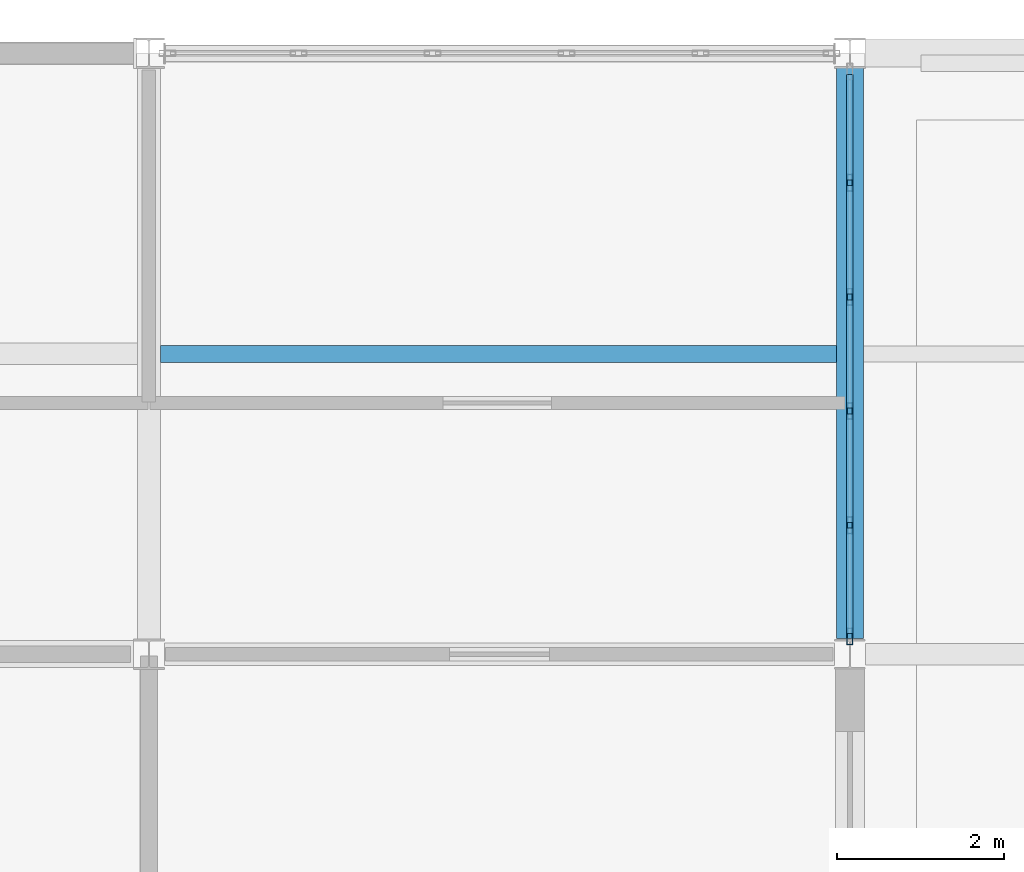
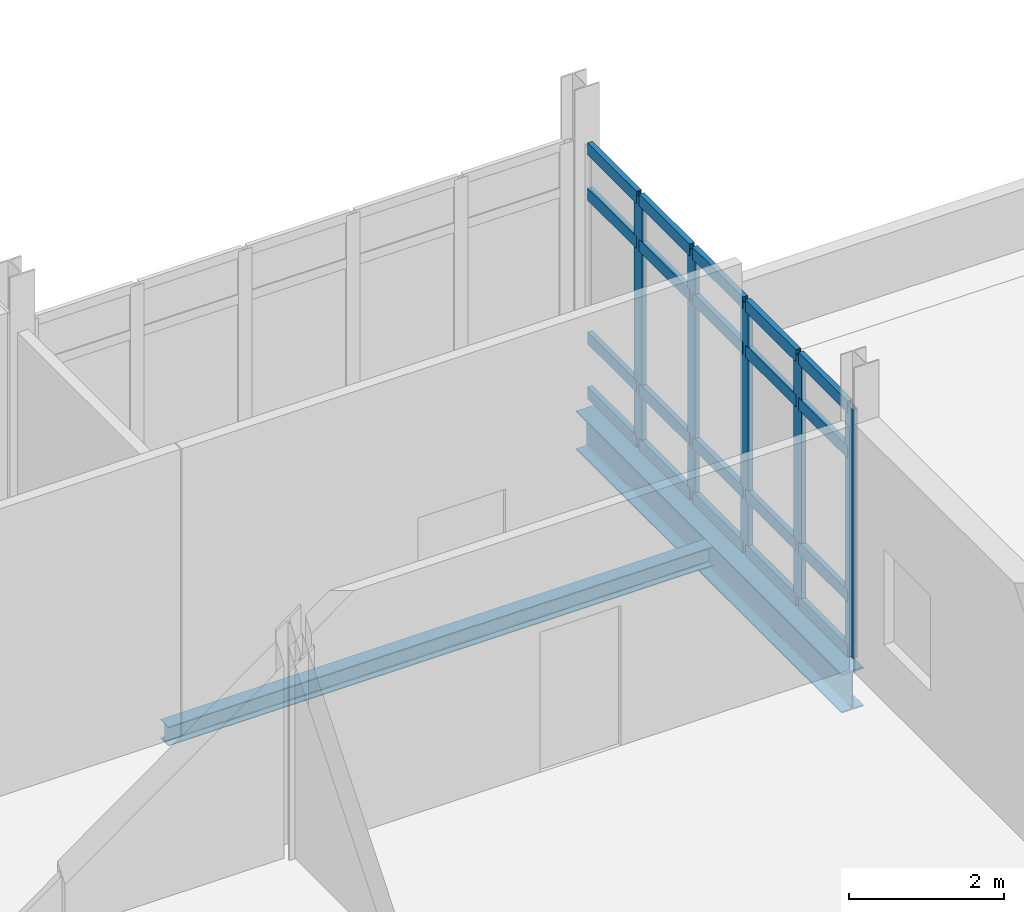
# One storey, part 92 of 186: 25 members, 2 beams, 1 element without a shape of its own.
"""IFC4 building model written with IfcOpenShell, lengths in metres."""

from ifc_helpers import new_model, si_unit, direction, frame, origin, origin_2d, place, context, subcontext, project, spatial, hollow_rectangle, i_section, extrude, material, layer, layer_set, material_profile, profile_set, type_object, element, aggregate, save


model = new_model("IFC4")

# Units and contexts
model_context = context("Model", 3, precision=1e-05, world=origin(), true_north=direction((0.0, 1.0)))
body_context = subcontext(model_context, "Body", "Model", "MODEL_VIEW")
ifc_project = project(units=[si_unit("LENGTHUNIT", "METRE"), si_unit("AREAUNIT", "SQUARE_METRE"), si_unit("VOLUMEUNIT", "CUBIC_METRE"), si_unit("PLANEANGLEUNIT", "RADIAN"), si_unit("MASSUNIT", "GRAM", prefix="KILO")], contexts=[model_context])

# Site, building, storey
site_placement = place(None, origin())
site = spatial("IfcSite", under=ifc_project, at=site_placement, CompositionType="ELEMENT")
building_placement = place(site_placement, origin())
building = spatial("IfcBuilding", under=site, at=building_placement, Name="Calvrana Isthmian Art Gallery", CompositionType="ELEMENT")
storey_placement = place(building_placement, frame((0.0, 0.0, 5.39990234375)))
storey = spatial("IfcBuildingStorey", under=building, at=storey_placement, Name="L01", CompositionType="ELEMENT", Elevation=5.39990234375)

# Beams
ifc_material_1 = material(Name="Steel ASTM A992 Gr 50", Category="steel")
ifc_material_profile_1 = material_profile(ifc_material_1, i_section(OverallWidth=0.324951171875, OverallDepth=0.612060546875, WebThickness=0.0126953125, FlangeThickness=0.01904296875, FilletRadius=0.02197265625, at=origin_2d()), Name="W24X104")
ifc_profile_set_1 = profile_set([ifc_material_profile_1], Name="Steel ASTM A992 Gr 50")
beam_type_1 = type_object("IfcBeamType", Name="BM-G-W24X104", PredefinedType="BEAM", material=ifc_profile_set_1)
beam_1_placement = place(storey_placement, frame((63.60009765625, 105.78662109375, -0.55078125), z_axis=(0.0, 1.0, 0.0), x_axis=(-1.0, 0.0, 0.0)))
element("IfcBeam", 1, at=beam_1_placement, inside=storey, type_object=beam_type_1, Name="Girder Y L01 09/O-P", PredefinedType="BEAM", context=body_context, shape_type="SweptSolid", body=[
    extrude(i_section(OverallWidth=0.324951171875, OverallDepth=0.612060546875, WebThickness=0.0126953125, FlangeThickness=0.01904296875, FilletRadius=0.02197265625, at=origin_2d()), origin(), (0.0, 0.0, 1.0), 6.83544921875),
])
ifc_material_profile_2 = material_profile(ifc_material_1, i_section(OverallWidth=0.202880859375, OverallDepth=0.302001953125, WebThickness=0.007568359375, FlangeThickness=0.01318359375, FilletRadius=0.01611328125, at=origin_2d()), Name="W12X40")
ifc_profile_set_2 = profile_set([ifc_material_profile_2], Name="Steel ASTM A992 Gr 50")
beam_type_2 = type_object("IfcBeamType", Name="BM-J-W12X40", PredefinedType="JOIST", material=ifc_profile_set_2)
beam_2_placement = place(storey_placement, frame((55.339599609375, 109.199951171875, -0.39599609375), z_axis=(1.0, 0.0, 0.0), x_axis=(0.0, 1.0, 0.0)))
element("IfcBeam", 2, at=beam_2_placement, inside=storey, type_object=beam_type_2, Name="Composite joist L01 bay 07-14", PredefinedType="JOIST", context=body_context, shape_type="SweptSolid", body=[
    extrude(i_section(OverallWidth=0.202880859375, OverallDepth=0.302001953125, WebThickness=0.007568359375, FlangeThickness=0.01318359375, FilletRadius=0.01611328125, at=origin_2d()), origin(), (0.0, 0.0, 1.0), 8.097900390625),
])

# Curtain wall, members
ifc_material_2 = material(Name="Anodized bronze aluminium 6063-T6", Category="aluminium")
ifc_layer = layer(ifc_material_2, 0.179931640625, Name="Anodized bronze aluminium 6063-T6")
ifc_layer_set = layer_set([ifc_layer], Name="Anodized bronze aluminium 6063-T6")
curtain_wall_type = type_object("IfcCurtainWallType", Name="CW-STICK-068X39", PredefinedType="NOTDEFINED", material=ifc_layer_set)
curtain_wall_placement = place(storey_placement, origin())
curtain_wall = element("IfcCurtainWall", 3, at=curtain_wall_placement, inside=storey, type_object=curtain_wall_type, Name="Curtain wall CW-129", PredefinedType="NOTDEFINED")
ifc_material_profile_3 = material_profile(ifc_material_2, hollow_rectangle(XDim=0.070068359375, YDim=0.199951171875, WallThickness=0.0048828125, at=origin_2d()), Name="CWM70X200")
ifc_profile_set_3 = profile_set([ifc_material_profile_3], Name="Anodized bronze aluminium 6063-T6")
member_type_1 = type_object("IfcMemberType", Name="CWM-CWM70X200", PredefinedType="MULLION", material=ifc_profile_set_3)
member_1_placement = place(storey_placement, frame((63.60009765625, 111.25048828125, 0.0), z_axis=(0.0, 0.0, 1.0), x_axis=(1.0, 0.0, 0.0)))
member_1 = element("IfcMember", 4, at=member_1_placement, type_object=member_type_1, Name="CW-129 mullion 2", PredefinedType="MULLION", context=body_context, shape_type="SweptSolid", body=[
    extrude(hollow_rectangle(XDim=0.070068359375, YDim=0.199951171875, WallThickness=0.0048828125, at=origin_2d()), origin(), (0.0, 0.0, 1.0), 3.9130859375),
])
member_2_placement = place(storey_placement, frame((63.60009765625, 109.88232421875, 0.0), z_axis=(0.0, 0.0, 1.0), x_axis=(1.0, 0.0, 0.0)))
member_2 = element("IfcMember", 5, at=member_2_placement, type_object=member_type_1, Name="CW-129 mullion 3", PredefinedType="MULLION", context=body_context, shape_type="SweptSolid", body=[
    extrude(hollow_rectangle(XDim=0.070068359375, YDim=0.199951171875, WallThickness=0.0048828125, at=origin_2d()), origin(), (0.0, 0.0, 1.0), 3.9130859375),
])
member_3_placement = place(storey_placement, frame((63.60009765625, 108.51416015625, 0.0), z_axis=(0.0, 0.0, 1.0), x_axis=(1.0, 0.0, 0.0)))
member_3 = element("IfcMember", 6, at=member_3_placement, type_object=member_type_1, Name="CW-129 mullion 4", PredefinedType="MULLION", context=body_context, shape_type="SweptSolid", body=[
    extrude(hollow_rectangle(XDim=0.070068359375, YDim=0.199951171875, WallThickness=0.0048828125, at=origin_2d()), origin(), (0.0, 0.0, 1.0), 3.9130859375),
])
member_4_placement = place(storey_placement, frame((63.60009765625, 107.14599609375, 0.0), z_axis=(0.0, 0.0, 1.0), x_axis=(1.0, 0.0, 0.0)))
member_4 = element("IfcMember", 7, at=member_4_placement, type_object=member_type_1, Name="CW-129 mullion 5", PredefinedType="MULLION", context=body_context, shape_type="SweptSolid", body=[
    extrude(hollow_rectangle(XDim=0.070068359375, YDim=0.199951171875, WallThickness=0.0048828125, at=origin_2d()), origin(), (0.0, 0.0, 1.0), 3.9130859375),
])
member_5_placement = place(storey_placement, frame((63.60009765625, 105.81298828125, 0.0), z_axis=(0.0, 0.0, 1.0), x_axis=(1.0, 0.0, 0.0)))
member_5 = element("IfcMember", 8, at=member_5_placement, type_object=member_type_1, Name="CW-129 mullion 6", PredefinedType="MULLION", context=body_context, shape_type="SweptSolid", body=[
    extrude(hollow_rectangle(XDim=0.070068359375, YDim=0.199951171875, WallThickness=0.0048828125, at=origin_2d()), origin(), (0.0, 0.0, 1.0), 3.9130859375),
])
ifc_material_profile_4 = material_profile(ifc_material_2, hollow_rectangle(XDim=0.074951171875, YDim=0.18994140625, WallThickness=0.00439453125, at=origin_2d()), Name="CWT75X190")
ifc_profile_set_4 = profile_set([ifc_material_profile_4], Name="Anodized bronze aluminium 6063-T6")
member_type_2 = type_object("IfcMemberType", Name="CWT-CWT75X190", PredefinedType="USERDEFINED", material=ifc_profile_set_4)
member_6_placement = place(storey_placement, frame((63.60009765625, 112.548583984375, 0.03759765625), z_axis=(0.0, -1.0, 0.0), x_axis=(1.0, 0.0, 0.0)))
member_6 = element("IfcMember", 9, at=member_6_placement, type_object=member_type_2, Name="CW-129 transom 1.1", ObjectType="TRANSOM", PredefinedType="USERDEFINED", context=body_context, shape_type="SweptSolid", body=[
    extrude(hollow_rectangle(XDim=0.074951171875, YDim=0.18994140625, WallThickness=0.00439453125, at=origin_2d()), origin(), (0.0, 0.0, 1.0), 1.26318359375),
])
member_7_placement = place(storey_placement, frame((63.60009765625, 112.548583984375, 0.900146484375), z_axis=(0.0, -1.0, 0.0), x_axis=(1.0, 0.0, 0.0)))
member_7 = element("IfcMember", 10, at=member_7_placement, type_object=member_type_2, Name="CW-129 transom 1.2", ObjectType="TRANSOM", PredefinedType="USERDEFINED", context=body_context, shape_type="SweptSolid", body=[
    extrude(hollow_rectangle(XDim=0.074951171875, YDim=0.18994140625, WallThickness=0.00439453125, at=origin_2d()), origin(), (0.0, 0.0, 1.0), 1.26318359375),
])
member_8_placement = place(storey_placement, frame((63.60009765625, 112.548583984375, 3.1630859375), z_axis=(0.0, -1.0, 0.0), x_axis=(1.0, 0.0, 0.0)))
member_8 = element("IfcMember", 11, at=member_8_placement, type_object=member_type_2, Name="CW-129 transom 1.3", ObjectType="TRANSOM", PredefinedType="USERDEFINED", context=body_context, shape_type="SweptSolid", body=[
    extrude(hollow_rectangle(XDim=0.074951171875, YDim=0.18994140625, WallThickness=0.00439453125, at=origin_2d()), origin(), (0.0, 0.0, 1.0), 1.26318359375),
])
member_9_placement = place(storey_placement, frame((63.60009765625, 112.548583984375, 3.87548828125), z_axis=(0.0, -1.0, 0.0), x_axis=(1.0, 0.0, 0.0)))
member_9 = element("IfcMember", 12, at=member_9_placement, type_object=member_type_2, Name="CW-129 transom 1.4", ObjectType="TRANSOM", PredefinedType="USERDEFINED", context=body_context, shape_type="SweptSolid", body=[
    extrude(hollow_rectangle(XDim=0.074951171875, YDim=0.18994140625, WallThickness=0.00439453125, at=origin_2d()), origin(), (0.0, 0.0, 1.0), 1.26318359375),
])
member_10_placement = place(storey_placement, frame((63.60009765625, 111.21533203125, 0.03759765625), z_axis=(0.0, -1.0, 0.0), x_axis=(1.0, 0.0, 0.0)))
member_10 = element("IfcMember", 13, at=member_10_placement, type_object=member_type_2, Name="CW-129 transom 2.1", ObjectType="TRANSOM", PredefinedType="USERDEFINED", context=body_context, shape_type="SweptSolid", body=[
    extrude(hollow_rectangle(XDim=0.074951171875, YDim=0.18994140625, WallThickness=0.00439453125, at=origin_2d()), origin(), (0.0, 0.0, 1.0), 1.298095703125),
])
member_11_placement = place(storey_placement, frame((63.60009765625, 111.21533203125, 0.900146484375), z_axis=(0.0, -1.0, 0.0), x_axis=(1.0, 0.0, 0.0)))
member_11 = element("IfcMember", 14, at=member_11_placement, type_object=member_type_2, Name="CW-129 transom 2.2", ObjectType="TRANSOM", PredefinedType="USERDEFINED", context=body_context, shape_type="SweptSolid", body=[
    extrude(hollow_rectangle(XDim=0.074951171875, YDim=0.18994140625, WallThickness=0.00439453125, at=origin_2d()), origin(), (0.0, 0.0, 1.0), 1.298095703125),
])
member_12_placement = place(storey_placement, frame((63.60009765625, 111.21533203125, 3.1630859375), z_axis=(0.0, -1.0, 0.0), x_axis=(1.0, 0.0, 0.0)))
member_12 = element("IfcMember", 15, at=member_12_placement, type_object=member_type_2, Name="CW-129 transom 2.3", ObjectType="TRANSOM", PredefinedType="USERDEFINED", context=body_context, shape_type="SweptSolid", body=[
    extrude(hollow_rectangle(XDim=0.074951171875, YDim=0.18994140625, WallThickness=0.00439453125, at=origin_2d()), origin(), (0.0, 0.0, 1.0), 1.298095703125),
])
member_13_placement = place(storey_placement, frame((63.60009765625, 111.21533203125, 3.87548828125), z_axis=(0.0, -1.0, 0.0), x_axis=(1.0, 0.0, 0.0)))
member_13 = element("IfcMember", 16, at=member_13_placement, type_object=member_type_2, Name="CW-129 transom 2.4", ObjectType="TRANSOM", PredefinedType="USERDEFINED", context=body_context, shape_type="SweptSolid", body=[
    extrude(hollow_rectangle(XDim=0.074951171875, YDim=0.18994140625, WallThickness=0.00439453125, at=origin_2d()), origin(), (0.0, 0.0, 1.0), 1.298095703125),
])
member_14_placement = place(storey_placement, frame((63.60009765625, 109.847412109375, 0.03759765625), z_axis=(0.0, -1.0, 0.0), x_axis=(1.0, 0.0, 0.0)))
member_14 = element("IfcMember", 17, at=member_14_placement, type_object=member_type_2, Name="CW-129 transom 3.1", ObjectType="TRANSOM", PredefinedType="USERDEFINED", context=body_context, shape_type="SweptSolid", body=[
    extrude(hollow_rectangle(XDim=0.074951171875, YDim=0.18994140625, WallThickness=0.00439453125, at=origin_2d()), origin(), (0.0, 0.0, 1.0), 1.298095703125),
])
member_15_placement = place(storey_placement, frame((63.60009765625, 109.847412109375, 0.900146484375), z_axis=(0.0, -1.0, 0.0), x_axis=(1.0, 0.0, 0.0)))
member_15 = element("IfcMember", 18, at=member_15_placement, type_object=member_type_2, Name="CW-129 transom 3.2", ObjectType="TRANSOM", PredefinedType="USERDEFINED", context=body_context, shape_type="SweptSolid", body=[
    extrude(hollow_rectangle(XDim=0.074951171875, YDim=0.18994140625, WallThickness=0.00439453125, at=origin_2d()), origin(), (0.0, 0.0, 1.0), 1.298095703125),
])
member_16_placement = place(storey_placement, frame((63.60009765625, 109.847412109375, 3.1630859375), z_axis=(0.0, -1.0, 0.0), x_axis=(1.0, 0.0, 0.0)))
member_16 = element("IfcMember", 19, at=member_16_placement, type_object=member_type_2, Name="CW-129 transom 3.3", ObjectType="TRANSOM", PredefinedType="USERDEFINED", context=body_context, shape_type="SweptSolid", body=[
    extrude(hollow_rectangle(XDim=0.074951171875, YDim=0.18994140625, WallThickness=0.00439453125, at=origin_2d()), origin(), (0.0, 0.0, 1.0), 1.298095703125),
])
member_17_placement = place(storey_placement, frame((63.60009765625, 109.847412109375, 3.87548828125), z_axis=(0.0, -1.0, 0.0), x_axis=(1.0, 0.0, 0.0)))
member_17 = element("IfcMember", 20, at=member_17_placement, type_object=member_type_2, Name="CW-129 transom 3.4", ObjectType="TRANSOM", PredefinedType="USERDEFINED", context=body_context, shape_type="SweptSolid", body=[
    extrude(hollow_rectangle(XDim=0.074951171875, YDim=0.18994140625, WallThickness=0.00439453125, at=origin_2d()), origin(), (0.0, 0.0, 1.0), 1.298095703125),
])
member_18_placement = place(storey_placement, frame((63.60009765625, 108.479248046875, 0.03759765625), z_axis=(0.0, -1.0, 0.0), x_axis=(1.0, 0.0, 0.0)))
member_18 = element("IfcMember", 21, at=member_18_placement, type_object=member_type_2, Name="CW-129 transom 4.1", ObjectType="TRANSOM", PredefinedType="USERDEFINED", context=body_context, shape_type="SweptSolid", body=[
    extrude(hollow_rectangle(XDim=0.074951171875, YDim=0.18994140625, WallThickness=0.00439453125, at=origin_2d()), origin(), (0.0, 0.0, 1.0), 1.298095703125),
])
member_19_placement = place(storey_placement, frame((63.60009765625, 108.479248046875, 0.900146484375), z_axis=(0.0, -1.0, 0.0), x_axis=(1.0, 0.0, 0.0)))
member_19 = element("IfcMember", 22, at=member_19_placement, type_object=member_type_2, Name="CW-129 transom 4.2", ObjectType="TRANSOM", PredefinedType="USERDEFINED", context=body_context, shape_type="SweptSolid", body=[
    extrude(hollow_rectangle(XDim=0.074951171875, YDim=0.18994140625, WallThickness=0.00439453125, at=origin_2d()), origin(), (0.0, 0.0, 1.0), 1.298095703125),
])
member_20_placement = place(storey_placement, frame((63.60009765625, 108.479248046875, 3.1630859375), z_axis=(0.0, -1.0, 0.0), x_axis=(1.0, 0.0, 0.0)))
member_20 = element("IfcMember", 23, at=member_20_placement, type_object=member_type_2, Name="CW-129 transom 4.3", ObjectType="TRANSOM", PredefinedType="USERDEFINED", context=body_context, shape_type="SweptSolid", body=[
    extrude(hollow_rectangle(XDim=0.074951171875, YDim=0.18994140625, WallThickness=0.00439453125, at=origin_2d()), origin(), (0.0, 0.0, 1.0), 1.298095703125),
])
member_21_placement = place(storey_placement, frame((63.60009765625, 108.479248046875, 3.87548828125), z_axis=(0.0, -1.0, 0.0), x_axis=(1.0, 0.0, 0.0)))
member_21 = element("IfcMember", 24, at=member_21_placement, type_object=member_type_2, Name="CW-129 transom 4.4", ObjectType="TRANSOM", PredefinedType="USERDEFINED", context=body_context, shape_type="SweptSolid", body=[
    extrude(hollow_rectangle(XDim=0.074951171875, YDim=0.18994140625, WallThickness=0.00439453125, at=origin_2d()), origin(), (0.0, 0.0, 1.0), 1.298095703125),
])
member_22_placement = place(storey_placement, frame((63.60009765625, 107.111083984375, 0.03759765625), z_axis=(0.0, -1.0, 0.0), x_axis=(1.0, 0.0, 0.0)))
member_22 = element("IfcMember", 25, at=member_22_placement, type_object=member_type_2, Name="CW-129 transom 5.1", ObjectType="TRANSOM", PredefinedType="USERDEFINED", context=body_context, shape_type="SweptSolid", body=[
    extrude(hollow_rectangle(XDim=0.074951171875, YDim=0.18994140625, WallThickness=0.00439453125, at=origin_2d()), origin(), (0.0, 0.0, 1.0), 1.26318359375),
])
member_23_placement = place(storey_placement, frame((63.60009765625, 107.111083984375, 0.900146484375), z_axis=(0.0, -1.0, 0.0), x_axis=(1.0, 0.0, 0.0)))
member_23 = element("IfcMember", 26, at=member_23_placement, type_object=member_type_2, Name="CW-129 transom 5.2", ObjectType="TRANSOM", PredefinedType="USERDEFINED", context=body_context, shape_type="SweptSolid", body=[
    extrude(hollow_rectangle(XDim=0.074951171875, YDim=0.18994140625, WallThickness=0.00439453125, at=origin_2d()), origin(), (0.0, 0.0, 1.0), 1.26318359375),
])
member_24_placement = place(storey_placement, frame((63.60009765625, 107.111083984375, 3.1630859375), z_axis=(0.0, -1.0, 0.0), x_axis=(1.0, 0.0, 0.0)))
member_24 = element("IfcMember", 27, at=member_24_placement, type_object=member_type_2, Name="CW-129 transom 5.3", ObjectType="TRANSOM", PredefinedType="USERDEFINED", context=body_context, shape_type="SweptSolid", body=[
    extrude(hollow_rectangle(XDim=0.074951171875, YDim=0.18994140625, WallThickness=0.00439453125, at=origin_2d()), origin(), (0.0, 0.0, 1.0), 1.26318359375),
])
member_25_placement = place(storey_placement, frame((63.60009765625, 107.111083984375, 3.87548828125), z_axis=(0.0, -1.0, 0.0), x_axis=(1.0, 0.0, 0.0)))
member_25 = element("IfcMember", 28, at=member_25_placement, type_object=member_type_2, Name="CW-129 transom 5.4", ObjectType="TRANSOM", PredefinedType="USERDEFINED", context=body_context, shape_type="SweptSolid", body=[
    extrude(hollow_rectangle(XDim=0.074951171875, YDim=0.18994140625, WallThickness=0.00439453125, at=origin_2d()), origin(), (0.0, 0.0, 1.0), 1.26318359375),
])
aggregate(curtain_wall, [member_1, member_2, member_3, member_4, member_5, member_6, member_7, member_8, member_9, member_10, member_11, member_12, member_13, member_14, member_15, member_16, member_17, member_18, member_19, member_20, member_21, member_22, member_23, member_24, member_25])

save(model, "model.ifc")
